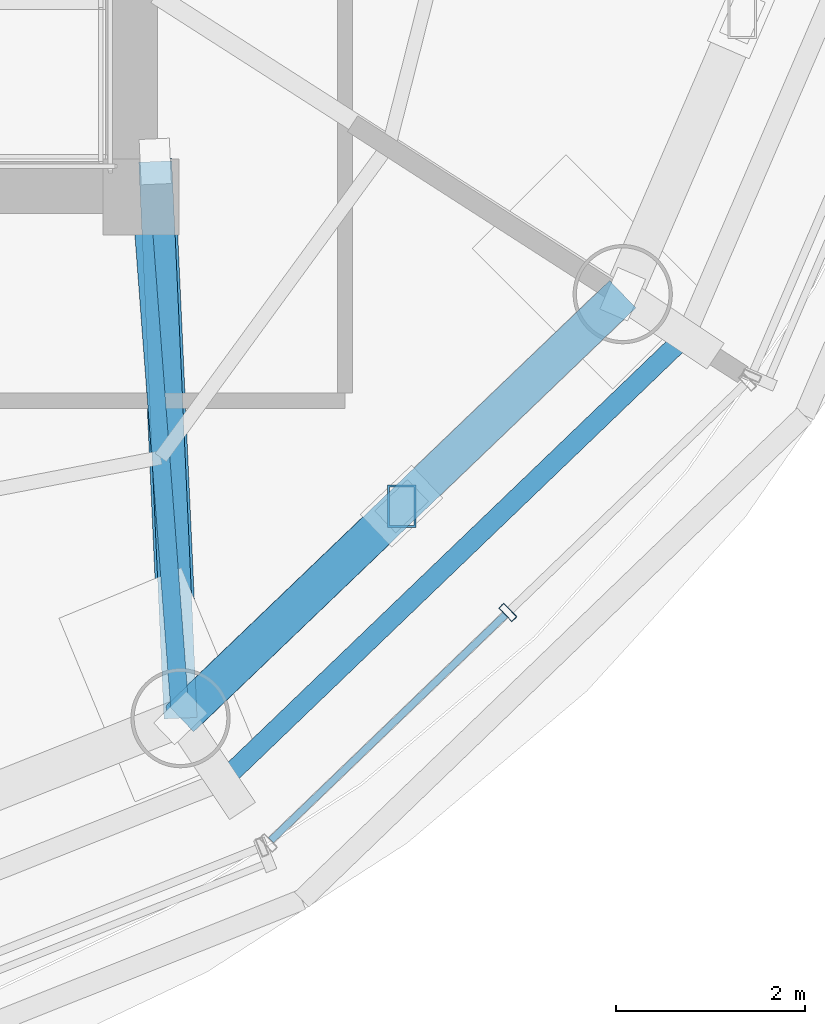
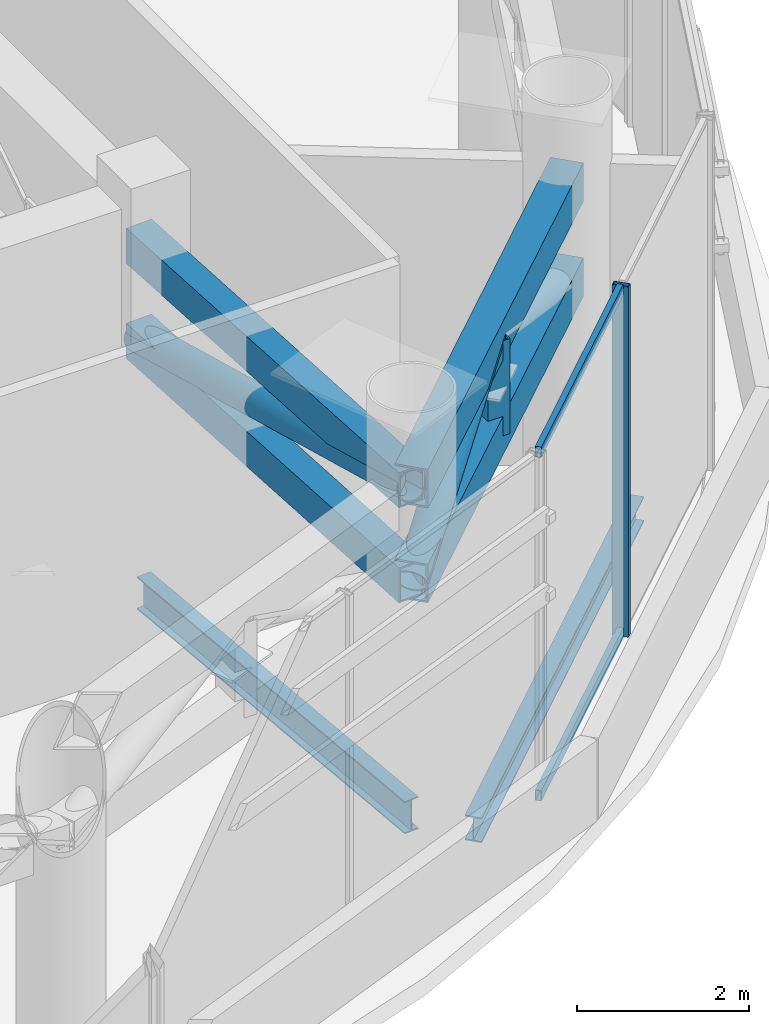
# One storey, part 5 of 21: 10 members, 2 beams, 1 element without a shape of its own.
"""IFC4 building model written with IfcOpenShell, lengths in metres."""

from ifc_helpers import new_model, si_unit, direction, frame, origin, origin_2d, place, context, subcontext, project, spatial, hollow_rectangle, hollow_circle, i_section, extrude, source, transform, mapped, material, material_profile, profile_set, type_object, element, aggregate, save


model = new_model("IFC4")

# Units and contexts
model_context = context("Model", 3, precision=1e-05, world=origin(), true_north=direction((-0.2419218956, 0.970295726276)))
body_context = subcontext(model_context, "Body", "Model", "MODEL_VIEW")
ifc_project = project(units=[si_unit("LENGTHUNIT", "METRE"), si_unit("AREAUNIT", "SQUARE_METRE"), si_unit("VOLUMEUNIT", "CUBIC_METRE"), si_unit("PLANEANGLEUNIT", "RADIAN"), si_unit("MASSUNIT", "GRAM", prefix="KILO")], contexts=[model_context])

# Site, building, storey
site_placement = place(None, origin())
site = spatial("IfcSite", under=ifc_project, at=site_placement, CompositionType="ELEMENT")
building_placement = place(site_placement, origin())
building = spatial("IfcBuilding", under=site, at=building_placement, Name="Cobrevalo Terracotta Tower", CompositionType="ELEMENT")
storey_placement = place(building_placement, frame((0.0, 0.0, 300.699951171875)))
storey = spatial("IfcBuildingStorey", under=building, at=storey_placement, Name="L79", CompositionType="ELEMENT", Elevation=300.699951171875)

# Beams
ifc_material_1 = material(Name="Steel S355", Category="steel")
ifc_material_profile_1 = material_profile(ifc_material_1, i_section(OverallWidth=0.19091796875, OverallDepth=0.4599609375, WebThickness=0.010009765625, FlangeThickness=0.01611328125, at=origin_2d()), Name="W 460x82")
ifc_profile_set_1 = profile_set([ifc_material_profile_1], Name="Steel S355")
beam_type_1 = type_object("IfcBeamType", Name="Structural Beam W 460x82 (Steel S355)", PredefinedType="BEAM", material=ifc_profile_set_1)
beam_1_placement = place(storey_placement, frame((47.4169921875, 13.28857421875, -0.679931640625), z_axis=(-0.075443293912, 0.997150093719, 0.0), x_axis=(-0.997150093719, -0.075443293912, 0.0)))
element("IfcBeam", 1, at=beam_1_placement, inside=storey, type_object=beam_type_1, Name="L79 radial floor girder 14", PredefinedType="BEAM", context=body_context, shape_type="SweptSolid", body=[
    extrude(i_section(OverallWidth=0.19091796875, OverallDepth=0.4599609375, WebThickness=0.010009765625, FlangeThickness=0.01611328125, at=origin_2d()), origin(), (0.0, 0.0, 1.0), 5.52734375),
])
ifc_material_profile_2 = material_profile(ifc_material_1, i_section(OverallWidth=0.205078125, OverallDepth=0.35400390625, WebThickness=0.009521484375, FlangeThickness=0.016845703125, at=origin_2d()), Name="W 360x79")
ifc_profile_set_2 = profile_set([ifc_material_profile_2], Name="Steel S355")
beam_type_2 = type_object("IfcBeamType", Name="Structural Spandrel W 360x79 (Steel S355)", PredefinedType="SPANDREL", material=ifc_profile_set_2)
beam_2_placement = place(storey_placement, frame((47.861328125, 12.62353515625, -0.626953125), z_axis=(0.721183246144, 0.692744343522, 0.0), x_axis=(-0.692744343522, 0.721183246144, 0.0)))
element("IfcBeam", 2, at=beam_2_placement, inside=storey, type_object=beam_type_2, Name="L79 perimeter ring spandrel 14", PredefinedType="SPANDREL", context=body_context, shape_type="SweptSolid", body=[
    extrude(i_section(OverallWidth=0.205078125, OverallDepth=0.35400390625, WebThickness=0.009521484375, FlangeThickness=0.016845703125, at=origin_2d()), origin(), (0.0, 0.0, 1.0), 6.79052734375),
])

# Members
ifc_material_profile_3 = material_profile(ifc_material_1, hollow_rectangle(XDim=0.300048828125, YDim=0.449951171875, WallThickness=0.02001953125, at=origin_2d()), Name="RHS 450x300x20")
ifc_profile_set_3 = profile_set([ifc_material_profile_3], Name="Steel S355")
member_type_1 = type_object("IfcMemberType", Name="Steel Post RHS 450x300x20 (Steel S355)", PredefinedType="POST", material=ifc_profile_set_3)
shared_shape_1 = source(origin(), body_context, "Body", "SweptSolid", [
    extrude(hollow_rectangle(XDim=0.300048828125, YDim=0.449951171875, WallThickness=0.02001953125, at=origin_2d()), origin(), (0.0, 0.0, 1.0), 1.349853515625),
])
member_1_placement = place(storey_placement, frame((49.755126953125, 15.5302734375, 2.650146484375), z_axis=(0.0, 0.0, 1.0), x_axis=(1.0, 0.0, 0.0)))
element("IfcMember", 3, at=member_1_placement, inside=storey, type_object=member_type_1, Name="L79 belt truss post 14", PredefinedType="POST", context=body_context, shape_type="MappedRepresentation", body=[
    mapped(shared_shape_1, transform((0.0, 0.0, 0.0), scale=1.0)),
])
ifc_material_profile_4 = material_profile(ifc_material_1, hollow_circle(Radius=0.202880859375, WallThickness=0.01611328125, at=origin_2d()), Name="CHS 406x16")
ifc_profile_set_4 = profile_set([ifc_material_profile_4], Name="Steel S355")
member_type_2 = type_object("IfcMemberType", Name="Steel Brace CHS 406x16 (Steel S355)", PredefinedType="BRACE", material=ifc_profile_set_4)
shared_shape_2 = source(origin(), body_context, "Body", "SweptSolid", [
    extrude(hollow_circle(Radius=0.202880859375, WallThickness=0.01611328125, at=origin_2d()), origin(), (0.0, 0.0, 1.0), 3.50927734375),
])
member_2_placement = place(storey_placement, frame((47.4169921875, 13.28857421875, 2.650146484375), z_axis=(0.666294981742, 0.638813879331, 0.38466586134), x_axis=(-0.692064138917, 0.721836011588, 0.0)))
element("IfcMember", 4, at=member_2_placement, inside=storey, type_object=member_type_2, Name="L79 belt truss diagonal brace 14-D1", PredefinedType="BRACE", context=body_context, shape_type="MappedRepresentation", body=[
    mapped(shared_shape_2, transform((0.0, 0.0, 0.0), scale=1.0)),
])
ifc_material_profile_5 = material_profile(ifc_material_1, hollow_rectangle(XDim=0.39990234375, YDim=0.550048828125, WallThickness=0.02490234375, at=origin_2d()), Name="RHS 550x400x25")
ifc_profile_set_5 = profile_set([ifc_material_profile_5], Name="Steel S355")
member_type_3 = type_object("IfcMemberType", Name="Steel Chord RHS 550x400x25 (Steel S355)", PredefinedType="CHORD", material=ifc_profile_set_5)
shared_shape_3 = source(origin(), body_context, "Body", "SweptSolid", [
    extrude(hollow_rectangle(XDim=0.39990234375, YDim=0.550048828125, WallThickness=0.02490234375, at=origin_2d()), origin(), (0.0, 0.0, 1.0), 6.478515625),
])
for number, where, z_axis, x_axis, name in (
    (5, (47.4169921875, 13.28857421875, 2.650146484375), (0.721854060625, 0.692045312938, 0.0), (-0.692045312938, 0.721854060625, 0.0), "L79 belt truss chord 14-BC"),
    (6, (47.4169921875, 13.28857421875, 4.0), (0.721854060625, 0.692045312938, 0.0), (-0.692045312938, 0.721854060625, 0.0), "L79 belt truss chord 14-TC"),
):
    element("IfcMember", number, at=place(storey_placement, frame(where, z_axis=z_axis, x_axis=x_axis)), inside=storey, type_object=member_type_3, Name=name, PredefinedType="CHORD", context=body_context, shape_type="MappedRepresentation", body=[
        mapped(shared_shape_3, transform((0.0, 0.0, 0.0), scale=1.0)),
    ])
ifc_material_profile_6 = material_profile(ifc_material_1, hollow_rectangle(XDim=0.35009765625, YDim=0.5, WallThickness=0.02197265625, at=origin_2d()), Name="RHS 500x350x22")
ifc_profile_set_6 = profile_set([ifc_material_profile_6], Name="Steel S355")
member_type_4 = type_object("IfcMemberType", Name="Steel Chord RHS 500x350x22 (Steel S355)", PredefinedType="CHORD", material=ifc_profile_set_6)
shared_shape_4 = source(origin(), body_context, "Body", "SweptSolid", [
    extrude(hollow_rectangle(XDim=0.35009765625, YDim=0.5, WallThickness=0.02197265625, at=origin_2d()), origin(), (0.0, 0.0, 1.0), 5.892578125),
])
for number, where, z_axis, x_axis, name in (
    (7, (47.14990234375, 19.175048828125, 2.650146484375), (0.045326846588, -0.998972210313, 0.0), (0.998972210313, 0.045326846588, 0.0), "L79 radial outrigger bottom chord 4"),
    (8, (47.14990234375, 19.175048828125, 4.0), (0.045326846588, -0.998972210313, 0.0), (0.998972210313, 0.045326846588, 0.0), "L79 radial outrigger top chord 4"),
):
    element("IfcMember", number, at=place(storey_placement, frame(where, z_axis=z_axis, x_axis=x_axis)), inside=storey, type_object=member_type_4, Name=name, PredefinedType="CHORD", context=body_context, shape_type="MappedRepresentation", body=[
        mapped(shared_shape_4, transform((0.0, 0.0, 0.0), scale=1.0)),
    ])
shared_shape_5 = source(origin(), body_context, "Body", "SweptSolid", [
    extrude(hollow_circle(Radius=0.202880859375, WallThickness=0.01611328125, at=origin_2d()), origin(), (0.0, 0.0, 1.0), 6.045166015625),
])
member_3_placement = place(storey_placement, frame((47.14990234375, 19.175048828125, 2.650146484375), z_axis=(0.044182388019, -0.973749138506, 0.223294719705), x_axis=(0.998972210313, 0.045326846588, 0.0)))
element("IfcMember", 9, at=member_3_placement, inside=storey, type_object=member_type_2, Name="L79 radial outrigger diagonal brace 4A", PredefinedType="BRACE", context=body_context, shape_type="MappedRepresentation", body=[
    mapped(shared_shape_5, transform((0.0, 0.0, 0.0), scale=1.0)),
])

# Curtain wall, members
ifc_material_2 = material(Name="Anodized aluminium", Category="aluminium")
curtain_wall_type = type_object("IfcCurtainWallType", Name="Belt-truss plant acoustic weather-louvre curtain wall CW-LV", PredefinedType="NOTDEFINED", material=ifc_material_2)
curtain_wall_placement = place(storey_placement, origin())
curtain_wall = element("IfcCurtainWall", 10, at=curtain_wall_placement, inside=storey, type_object=curtain_wall_type, Name="L79 curtain wall CW-LV-L79-S14", PredefinedType="NOTDEFINED")
ifc_material_profile_7 = material_profile(ifc_material_2, hollow_rectangle(XDim=0.074951171875, YDim=0.199951171875, WallThickness=0.0048828125, at=origin_2d()), Name="CWM 75x200")
ifc_profile_set_7 = profile_set([ifc_material_profile_7], Name="Anodized aluminium")
member_type_5 = type_object("IfcMemberType", Name="Lower/mid tower unitised mullion 75x200", PredefinedType="MULLION", material=ifc_profile_set_7)
shared_shape_6 = source(origin(), body_context, "Body", "SweptSolid", [
    extrude(hollow_rectangle(XDim=0.074951171875, YDim=0.199951171875, WallThickness=0.0048828125, at=origin_2d()), origin(), (0.0, 0.0, 1.0), 4.97998046875),
])
member_4_placement = place(storey_placement, frame((50.878662109375, 14.40673828125, 0.0), z_axis=(0.0, 0.0, 1.0), x_axis=(0.72055111168, 0.693401828276, 0.0)))
member_4 = element("IfcMember", 11, at=member_4_placement, type_object=member_type_5, Name="CW-LV-L79-S14 vertical mullion 02", PredefinedType="MULLION", context=body_context, shape_type="MappedRepresentation", body=[
    mapped(shared_shape_6, transform((0.0, 0.0, 0.0), scale=1.0)),
])
ifc_material_profile_8 = material_profile(ifc_material_2, hollow_rectangle(XDim=0.074951171875, YDim=0.14990234375, WallThickness=0.00439453125, at=origin_2d()), Name="CWT 75x150")
ifc_profile_set_8 = profile_set([ifc_material_profile_8], Name="Anodized aluminium")
member_type_6 = type_object("IfcMemberType", Name="Tower unitised aluminium transom 75x150", PredefinedType="USERDEFINED", material=ifc_profile_set_8)
shared_shape_7 = source(origin(), body_context, "Body", "SweptSolid", [
    extrude(hollow_rectangle(XDim=0.074951171875, YDim=0.14990234375, WallThickness=0.00439453125, at=origin_2d()), origin(), (0.0, 0.0, 1.0), 3.435302734375),
])
member_5_placement = place(storey_placement, frame((48.37451171875, 11.9970703125, 0.050048828125), z_axis=(0.720550320284, 0.693402650657, 0.0), x_axis=(-0.693402650657, 0.720550320284, 0.0)))
member_5 = element("IfcMember", 12, at=member_5_placement, type_object=member_type_6, Name="CW-LV-L79-S14 transom B01-T1", ObjectType="TRANSOM", PredefinedType="USERDEFINED", context=body_context, shape_type="MappedRepresentation", body=[
    mapped(shared_shape_7, transform((0.0, 0.0, 0.0), scale=1.0)),
])
member_6_placement = place(storey_placement, frame((48.37451171875, 11.9970703125, 4.929931640625), z_axis=(0.720550320284, 0.693402650657, 0.0), x_axis=(-0.693402650657, 0.720550320284, 0.0)))
member_6 = element("IfcMember", 13, at=member_6_placement, type_object=member_type_6, Name="CW-LV-L79-S14 transom B01-T2", ObjectType="TRANSOM", PredefinedType="USERDEFINED", context=body_context, shape_type="MappedRepresentation", body=[
    mapped(shared_shape_7, transform((0.0, 0.0, 0.0), scale=1.0)),
])
aggregate(curtain_wall, [member_4, member_5, member_6])

save(model, "model.ifc")
